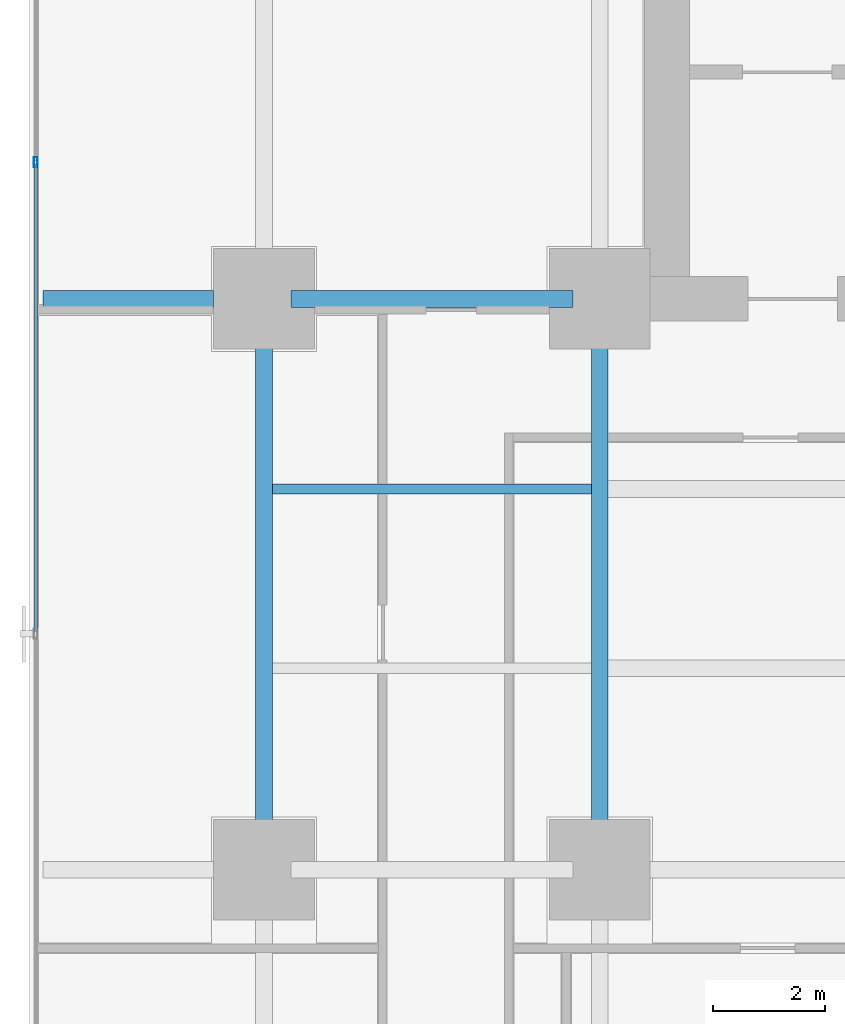
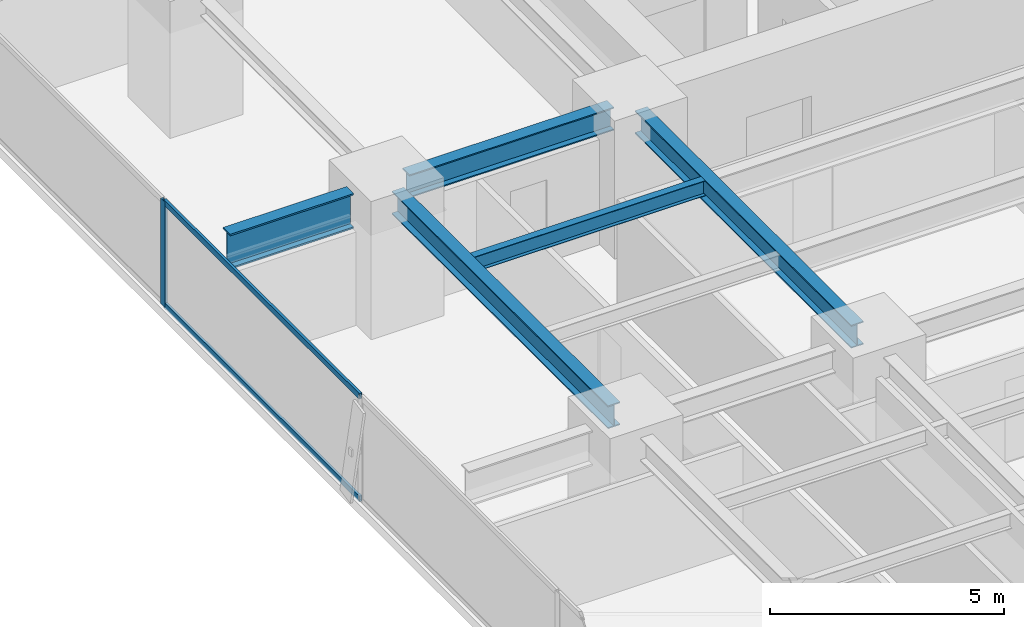
# One storey, part 15 of 32: 5 beams, 3 members, 1 element without a shape of its own.
"""IFC4 building model written with IfcOpenShell, lengths in metres."""

from ifc_helpers import new_model, si_unit, direction, frame, origin, origin_2d, place, context, subcontext, project, spatial, hollow_rectangle, i_section, extrude, source, transform, mapped, material, layer, layer_set, material_profile, profile_set, type_object, element, aggregate, save


model = new_model("IFC4")

# Units and contexts
model_context = context("Model", 3, precision=1e-05, world=origin(), true_north=direction((0.0, 1.0)))
body_context = subcontext(model_context, "Body", "Model", "MODEL_VIEW")
ifc_project = project(units=[si_unit("LENGTHUNIT", "METRE"), si_unit("AREAUNIT", "SQUARE_METRE"), si_unit("VOLUMEUNIT", "CUBIC_METRE"), si_unit("PLANEANGLEUNIT", "RADIAN"), si_unit("MASSUNIT", "GRAM", prefix="KILO")], contexts=[model_context])

# Site, building, storey
site_placement = place(None, origin())
site = spatial("IfcSite", under=ifc_project, at=site_placement, CompositionType="ELEMENT")
building_placement = place(site_placement, origin())
building = spatial("IfcBuilding", under=site, at=building_placement, Name="Sumidabori Civic Tower", CompositionType="ELEMENT")
storey_placement = place(building_placement, frame((0.0, 0.0, 48.800048828125)))
storey = spatial("IfcBuildingStorey", under=building, at=storey_placement, Name="L12", CompositionType="ELEMENT", Elevation=48.800048828125)

# Beams
ifc_material_1 = material(Name="Steel SN490", Category="steel")
ifc_material_profile_1 = material_profile(ifc_material_1, i_section(OverallWidth=0.300048828125, OverallDepth=0.60009765625, WebThickness=0.015380859375, FlangeThickness=0.030029296875, at=origin_2d()), Name="HE 600 B")
ifc_profile_set_1 = profile_set([ifc_material_profile_1], Name="Steel SN490")
beam_type_1 = type_object("IfcBeamType", Name="BM-GIRD-600", PredefinedType="BEAM", material=ifc_profile_set_1)
shared_shape_1 = source(origin(), body_context, "Body", "SweptSolid", [
    extrude(i_section(OverallWidth=0.300048828125, OverallDepth=0.60009765625, WebThickness=0.015380859375, FlangeThickness=0.030029296875, at=origin_2d()), origin(), (0.0, 0.0, 1.0), 5.0400390625),
])
beam_1_placement = place(storey_placement, frame((-22.320068359375, 10.199951171875, 3.06005859375), z_axis=(1.0, 0.0, 0.0), x_axis=(0.0, 1.0, 0.0)))
element("IfcBeam", 1, at=beam_1_placement, inside=storey, type_object=beam_type_1, Name="Primary Girder L12 GX-19", PredefinedType="BEAM", context=body_context, shape_type="MappedRepresentation", body=[
    mapped(shared_shape_1, transform((0.0, 0.0, 0.0), x_axis=(1.0, 0.0, 0.0), y_axis=(0.0, 1.0, 0.0), z_axis=(0.0, 0.0, 1.0), scale=1.0)),
])
shared_shape_2 = source(origin(), body_context, "Body", "SweptSolid", [
    extrude(i_section(OverallWidth=0.300048828125, OverallDepth=0.60009765625, WebThickness=0.015380859375, FlangeThickness=0.030029296875, at=origin_2d()), origin(), (0.0, 0.0, 1.0), 9.239990234375),
])
for number, where, z_axis, x_axis, name in (
    (2, (-22.800048828125, 0.47998046875, 3.06005859375), (0.0, 1.0, 0.0), (-1.0, 0.0, 0.0), "Primary Girder L12 GY-23"),
    (3, (-16.800048828125, 0.47998046875, 3.06005859375), (0.0, 1.0, 0.0), (-1.0, 0.0, 0.0), "Primary Girder L12 GY-27"),
):
    element("IfcBeam", number, at=place(storey_placement, frame(where, z_axis=z_axis, x_axis=x_axis)), inside=storey, type_object=beam_type_1, Name=name, PredefinedType="BEAM", context=body_context, shape_type="MappedRepresentation", body=[
        mapped(shared_shape_2, transform((0.0, 0.0, 0.0), x_axis=(1.0, 0.0, 0.0), y_axis=(0.0, 1.0, 0.0), z_axis=(0.0, 0.0, 1.0), scale=1.0)),
    ])
ifc_material_profile_2 = material_profile(ifc_material_1, i_section(OverallWidth=0.302001953125, OverallDepth=0.909912109375, WebThickness=0.02099609375, FlangeThickness=0.0400390625, at=origin_2d()), Name="HE 900 M")
ifc_profile_set_2 = profile_set([ifc_material_profile_2], Name="Steel SN490")
beam_type_2 = type_object("IfcBeamType", Name="BM-Z1-EDGE", PredefinedType="SPANDREL", material=ifc_profile_set_2)
shared_shape_3 = source(origin(), body_context, "Body", "SweptSolid", [
    extrude(i_section(OverallWidth=0.302001953125, OverallDepth=0.909912109375, WebThickness=0.02099609375, FlangeThickness=0.0400390625, at=origin_2d()), origin(), (0.0, 0.0, 1.0), 3.050048828125),
])
beam_2_placement = place(storey_placement, frame((-26.75, 10.199951171875, 2.905029296875), z_axis=(1.0, 0.0, 0.0), x_axis=(0.0, 1.0, 0.0)))
element("IfcBeam", 4, at=beam_2_placement, inside=storey, type_object=beam_type_2, Name="Perimeter Overhang Beam L12 W-48", PredefinedType="SPANDREL", context=body_context, shape_type="MappedRepresentation", body=[
    mapped(shared_shape_3, transform((0.0, 0.0, 0.0), x_axis=(1.0, 0.0, 0.0), y_axis=(0.0, 1.0, 0.0), z_axis=(0.0, 0.0, 1.0), scale=1.0)),
])
ifc_material_profile_3 = material_profile(ifc_material_1, i_section(OverallWidth=0.179931640625, OverallDepth=0.39990234375, WebThickness=0.008544921875, FlangeThickness=0.013427734375, at=origin_2d()), Name="IPE 400")
ifc_profile_set_3 = profile_set([ifc_material_profile_3], Name="Steel SN490")
beam_type_3 = type_object("IfcBeamType", Name="BM-JST-400", PredefinedType="JOIST", material=ifc_profile_set_3)
shared_shape_4 = source(origin(), body_context, "Body", "SweptSolid", [
    extrude(i_section(OverallWidth=0.179931640625, OverallDepth=0.39990234375, WebThickness=0.008544921875, FlangeThickness=0.013427734375, at=origin_2d()), origin(), (0.0, 0.0, 1.0), 5.699951171875),
])
beam_3_placement = place(storey_placement, frame((-22.64990234375, 6.800048828125, 3.159912109375), z_axis=(1.0, 0.0, 0.0), x_axis=(0.0, 1.0, 0.0)))
element("IfcBeam", 5, at=beam_3_placement, inside=storey, type_object=beam_type_3, Name="Outer Bay Floor Joist L12 JSTO-55", PredefinedType="JOIST", context=body_context, shape_type="MappedRepresentation", body=[
    mapped(shared_shape_4, transform((0.0, 0.0, 0.0), x_axis=(1.0, 0.0, 0.0), y_axis=(0.0, 1.0, 0.0), z_axis=(0.0, 0.0, 1.0), scale=1.0)),
])

# Curtain wall, members
ifc_material_2 = material(Name="Anodised Bronze Aluminium AW-6063-T6", Category="aluminium")
ifc_layer = layer(ifc_material_2, 0.179931640625, Name="Anodised Bronze Aluminium AW-6063-T6")
ifc_layer_set = layer_set([ifc_layer], Name="Anodised Bronze Aluminium AW-6063-T6")
curtain_wall_type = type_object("IfcCurtainWallType", Name="CW-SYS-2", PredefinedType="NOTDEFINED", material=ifc_layer_set)
curtain_wall_placement = place(storey_placement, origin())
curtain_wall = element("IfcCurtainWall", 6, at=curtain_wall_placement, inside=storey, type_object=curtain_wall_type, Name="Curtain Wall CW:L12:R10", PredefinedType="NOTDEFINED")
ifc_material_profile_4 = material_profile(ifc_material_2, hollow_rectangle(XDim=0.070068359375, YDim=0.179931640625, WallThickness=0.006103515625, at=origin_2d()), Name="ALU MULLION 180x70")
ifc_profile_set_4 = profile_set([ifc_material_profile_4], Name="Anodised Bronze Aluminium AW-6063-T6")
member_type_1 = type_object("IfcMemberType", Name="CW-MUL-180", PredefinedType="MULLION", material=ifc_profile_set_4)
shared_shape_5 = source(origin(), body_context, "Body", "SweptSolid", [
    extrude(hollow_rectangle(XDim=0.070068359375, YDim=0.179931640625, WallThickness=0.006103515625, at=origin_2d()), origin(), (0.0, 0.0, 1.0), 2.739990234375),
])
member_1_placement = place(storey_placement, frame((-26.8798828125, 12.64208984375, 0.0), z_axis=(0.0, 0.0, 1.0), x_axis=(1.0, 0.0, 0.0)))
member_1 = element("IfcMember", 7, at=member_1_placement, type_object=member_type_1, Name="CW-2 mullion 2", PredefinedType="MULLION", context=body_context, shape_type="MappedRepresentation", body=[
    mapped(shared_shape_5, transform((0.0, 0.0, 0.0), x_axis=(1.0, 0.0, 0.0), y_axis=(0.0, 1.0, 0.0), z_axis=(0.0, 0.0, 1.0), scale=1.0)),
])
ifc_material_profile_5 = material_profile(ifc_material_2, hollow_rectangle(XDim=0.06494140625, YDim=0.14990234375, WallThickness=0.0048828125, at=origin_2d()), Name="ALU TRANSOM 150x65")
ifc_profile_set_5 = profile_set([ifc_material_profile_5], Name="Anodised Bronze Aluminium AW-6063-T6")
member_type_2 = type_object("IfcMemberType", Name="CW-TRN-150", PredefinedType="USERDEFINED", material=ifc_profile_set_5)
shared_shape_6 = source(origin(), body_context, "Body", "SweptSolid", [
    extrude(hollow_rectangle(XDim=0.06494140625, YDim=0.14990234375, WallThickness=0.0048828125, at=origin_2d()), origin(), (0.0, 0.0, 1.0), 8.35791015625),
])
member_2_placement = place(storey_placement, frame((-26.8798828125, 12.60693359375, 0.032470703125), z_axis=(0.0, -1.0, 0.0), x_axis=(1.0, 0.0, 0.0)))
member_2 = element("IfcMember", 8, at=member_2_placement, type_object=member_type_2, Name="CW-2 transom 2.1", ObjectType="TRANSOM", PredefinedType="USERDEFINED", context=body_context, shape_type="MappedRepresentation", body=[
    mapped(shared_shape_6, transform((0.0, 0.0, 0.0), x_axis=(1.0, 0.0, 0.0), y_axis=(0.0, 1.0, 0.0), z_axis=(0.0, 0.0, 1.0), scale=1.0)),
])
member_3_placement = place(storey_placement, frame((-26.8798828125, 12.60693359375, 2.70751953125), z_axis=(0.0, -1.0, 0.0), x_axis=(1.0, 0.0, 0.0)))
member_3 = element("IfcMember", 9, at=member_3_placement, type_object=member_type_2, Name="CW-2 transom 2.2", ObjectType="TRANSOM", PredefinedType="USERDEFINED", context=body_context, shape_type="MappedRepresentation", body=[
    mapped(shared_shape_6, transform((0.0, 0.0, 0.0), x_axis=(1.0, 0.0, 0.0), y_axis=(0.0, 1.0, 0.0), z_axis=(0.0, 0.0, 1.0), scale=1.0)),
])
aggregate(curtain_wall, [member_1, member_2, member_3])

save(model, "model.ifc")
